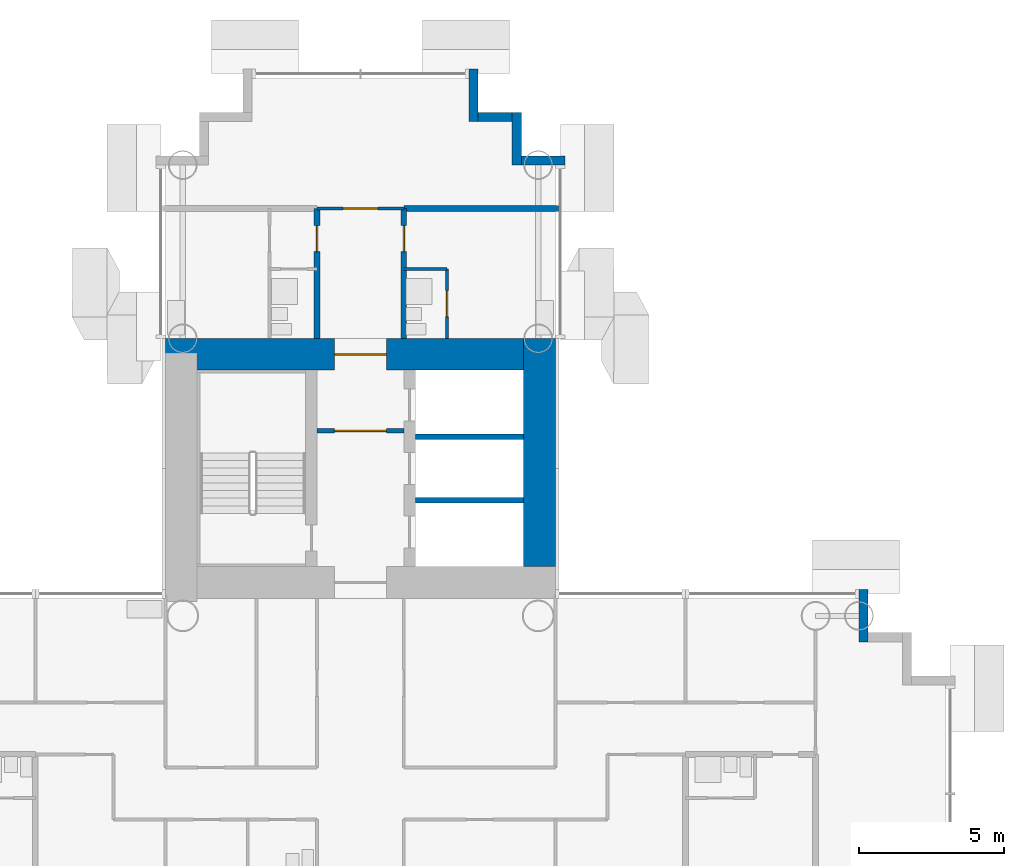
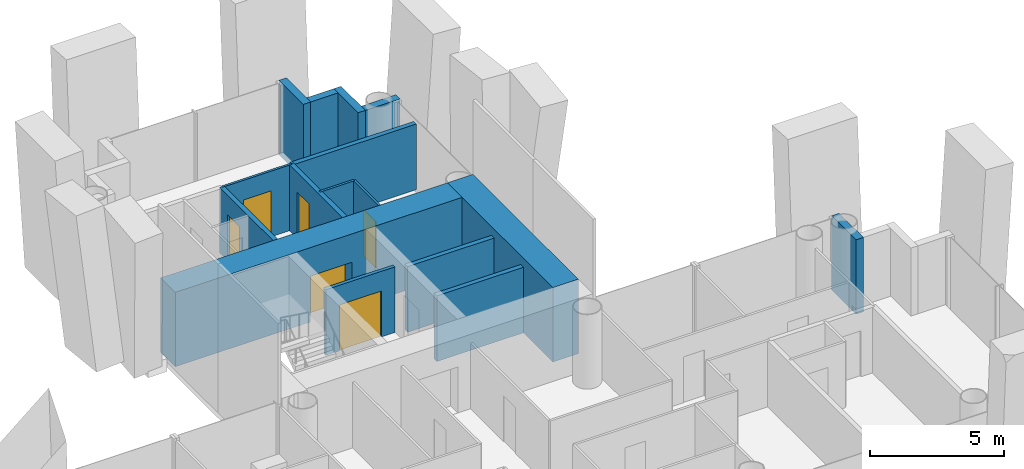
# One storey, part 16 of 23: 16 walls, 6 doors, 6 openings.
"""IFC4 building model written with IfcOpenShell, lengths in metres."""

from ifc_helpers import new_model, si_unit, direction, frame, frame_2d, origin, place, context, subcontext, project, spatial, rectangle, extrude, material, layer, layer_set, type_object, element, fill, save


model = new_model("IFC4")

# Units and contexts
model_context = context("Model", 3, precision=1e-05, world=origin(), true_north=direction((0.0, 1.0)))
body_context = subcontext(model_context, "Body", "Model", "MODEL_VIEW")
ifc_project = project(units=[si_unit("LENGTHUNIT", "METRE"), si_unit("AREAUNIT", "SQUARE_METRE"), si_unit("VOLUMEUNIT", "CUBIC_METRE"), si_unit("PLANEANGLEUNIT", "RADIAN"), si_unit("MASSUNIT", "GRAM", prefix="KILO")], contexts=[model_context])

# Site, building, storey
site_placement = place(None, origin())
site = spatial("IfcSite", under=ifc_project, at=site_placement, CompositionType="ELEMENT")
building_placement = place(site_placement, origin())
building = spatial("IfcBuilding", under=site, at=building_placement, Name="Ipe Terrace Towers", CompositionType="ELEMENT")
storey_placement = place(building_placement, frame((0.0, 0.0, 51.699951171875)))
storey = spatial("IfcBuildingStorey", under=building, at=storey_placement, Name="L13", CompositionType="ELEMENT", Elevation=51.699951171875)

# Walls
ifc_material_1 = material(Name="Concrete C40/50 with buff precast cladding", Category="concrete")
ifc_layer_1 = layer(ifc_material_1, 0.320068359375)
ifc_layer_set_1 = layer_set([ifc_layer_1], Name="BUFF CLADDING WALL 320")
wall_type_1 = type_object("IfcWallType", Name="BUFF CLADDING WALL 320", PredefinedType="STANDARD", material=ifc_layer_set_1)
wall_1_placement = place(storey_placement, frame((53.409912109375, 5.25, -0.300048828125), z_axis=(0.0, 0.0, 1.0), x_axis=(0.0, 1.0, 0.0)))
element("IfcWall", 1, at=wall_1_placement, inside=storey, type_object=wall_type_1, Name="T2-W-L13-16a wall", PredefinedType="STANDARD", context=body_context, shape_type="SweptSolid", body=[
    extrude(rectangle(XDim=1.820068359375, YDim=0.320068359375, at=frame_2d((0.91015625, 0.0))), origin(), (0.0, 0.0, 1.0), 3.400146484375),
])
wall_2_placement = place(storey_placement, frame((43.070068359375, 21.909912109375, -0.300048828125), z_axis=(0.0, 0.0, 1.0), x_axis=(-1.0, 0.0, 0.0)))
element("IfcWall", 2, at=wall_2_placement, inside=storey, type_object=wall_type_1, Name="T2-W-L13-21a wall", PredefinedType="STANDARD", context=body_context, shape_type="SweptSolid", body=[
    extrude(rectangle(XDim=1.5, YDim=0.320068359375, at=frame_2d((0.75, 0.0))), origin(), (0.0, 0.0, 1.0), 3.400146484375),
])
wall_3_placement = place(storey_placement, frame((41.409912109375, 21.75, -0.300048828125), z_axis=(0.0, 0.0, 1.0), x_axis=(0.0, 1.0, 0.0)))
element("IfcWall", 3, at=wall_3_placement, inside=storey, type_object=wall_type_1, Name="T2-W-L13-22a wall", PredefinedType="STANDARD", context=body_context, shape_type="SweptSolid", body=[
    extrude(rectangle(XDim=1.820068359375, YDim=0.320068359375, at=frame_2d((0.91015625, 0.0))), origin(), (0.0, 0.0, 1.0), 3.400146484375),
])
wall_4_placement = place(storey_placement, frame((41.25, 23.409912109375, -0.300048828125), z_axis=(0.0, 0.0, 1.0), x_axis=(-1.0, 0.0, 0.0)))
element("IfcWall", 4, at=wall_4_placement, inside=storey, type_object=wall_type_1, Name="T2-W-L13-23a wall", PredefinedType="STANDARD", context=body_context, shape_type="SweptSolid", body=[
    extrude(rectangle(XDim=1.179931640625, YDim=0.320068359375, at=frame_2d((0.58984375, 0.0))), origin(), (0.0, 0.0, 1.0), 3.400146484375),
])
wall_5_placement = place(storey_placement, frame((39.909912109375, 23.25, -0.300048828125), z_axis=(0.0, 0.0, 1.0), x_axis=(0.0, 1.0, 0.0)))
element("IfcWall", 5, at=wall_5_placement, inside=storey, type_object=wall_type_1, Name="T2-W-L13-24a wall", PredefinedType="STANDARD", context=body_context, shape_type="SweptSolid", body=[
    extrude(rectangle(XDim=1.820068359375, YDim=0.320068359375, at=frame_2d((0.91015625, 0.0))), origin(), (0.0, 0.0, 1.0), 3.400146484375),
])
ifc_material_2 = material(Name="Gypsum board partition", Category="plasterboard")
ifc_layer_2 = layer(ifc_material_2, 0.10009765625)
ifc_layer_set_2 = layer_set([ifc_layer_2], Name="Gypsum board partition 100 mm")
wall_type_2 = type_object("IfcWallType", Name="Gypsum board partition 100 mm", PredefinedType="PARTITIONING", material=ifc_layer_set_2)
wall_6_placement = place(storey_placement, frame((39.0, 18.14990234375, 0.0), z_axis=(0.0, 0.0, 1.0), x_axis=(-1.0, 0.0, 0.0)))
element("IfcWall", 6, at=wall_6_placement, inside=storey, type_object=wall_type_2, Name="Gypsum board partition T2 L13 W19", PredefinedType="PARTITIONING", context=body_context, shape_type="SweptSolid", body=[
    extrude(rectangle(XDim=1.5, YDim=0.10009765625, at=frame_2d((0.75, 0.0))), origin(), (0.0, 0.0, 1.0), 3.0),
])

# Wall, opening, door
wall_7_placement = place(storey_placement, frame((37.5, 20.25, 0.0), z_axis=(0.0, 0.0, 1.0), x_axis=(-1.0, 0.0, 0.0)))
wall_7 = element("IfcWall", 7, at=wall_7_placement, inside=storey, type_object=wall_type_2, Name="Gypsum board partition T2 L13 W21", PredefinedType="PARTITIONING", context=body_context, shape_type="SweptSolid", body=[
    extrude(rectangle(XDim=3.0, YDim=0.10009765625, at=frame_2d((1.5, 0.0))), origin(), (0.0, 0.0, 1.0), 3.0),
])
opening_1_placement = place(wall_7_placement, frame((0.89990234375, 0.0, 0.0)))
opening_1 = element("IfcOpeningElement", 8, at=opening_1_placement, cuts=wall_7, Name="Opening T2-Z1C-26", PredefinedType="OPENING", context=body_context, shape_type="SweptSolid", body=[
    extrude(rectangle(XDim=1.199951171875, YDim=2.10009765625, at=frame_2d((0.60009765625, 1.050048828125))), frame((0.0, 0.06005859375, 0.0), z_axis=(0.0, -1.0, 0.0), x_axis=(1.0, 0.0, 0.0)), (0.0, 0.0, 1.0), 0.1201171875),
])
ifc_material_3 = material(Name="Timber door leaf", Category="wood")
door_type_1 = type_object("IfcDoorType", Name="Lounge door 1200 x 2100", OperationType="NOTDEFINED", PredefinedType="DOOR", material=ifc_material_3)
door_1_placement = place(opening_1_placement, origin())
door_1 = element("IfcDoor", 9, at=door_1_placement, inside=storey, type_object=door_type_1, Name="Lounge door T2-Z1C-26", OperationType="SINGLE_SWING_RIGHT", OverallHeight=2.10009765625, OverallWidth=1.199951171875, PredefinedType="DOOR", context=body_context, shape_type="SweptSolid", body=[
    extrude(rectangle(XDim=1.199951171875, YDim=2.10009765625, at=frame_2d((0.60009765625, 1.050048828125))), frame((0.0, 0.02490234375, 0.0), z_axis=(0.0, -1.0, 0.0), x_axis=(1.0, 0.0, 0.0)), (0.0, 0.0, 1.0), 0.050048828125),
])
fill(opening_1, door_1)

wall_8_placement = place(storey_placement, frame((39.0, 15.75, 0.0), z_axis=(0.0, 0.0, 1.0), x_axis=(0.0, 1.0, 0.0)))
wall_8 = element("IfcWall", 10, at=wall_8_placement, inside=storey, type_object=wall_type_2, Name="Gypsum board partition T2 L13 W33", PredefinedType="PARTITIONING", context=body_context, shape_type="SweptSolid", body=[
    extrude(rectangle(XDim=2.39990234375, YDim=0.10009765625, at=frame_2d((1.199951171875, 0.0))), origin(), (0.0, 0.0, 1.0), 3.0),
])
opening_2_placement = place(wall_8_placement, frame((0.75, 0.0, 0.0)))
opening_2 = element("IfcOpeningElement", 11, at=opening_2_placement, cuts=wall_8, Name="Opening T2-Z1C-25", PredefinedType="OPENING", context=body_context, shape_type="SweptSolid", body=[
    extrude(rectangle(XDim=0.89990234375, YDim=2.10009765625, at=frame_2d((0.449951171875, 1.050048828125))), frame((0.0, 0.06005859375, 0.0), z_axis=(0.0, -1.0, 0.0), x_axis=(1.0, 0.0, 0.0)), (0.0, 0.0, 1.0), 0.1201171875),
])
ifc_material_4 = material(Name="Timber door leaf", Category="wood")
door_type_2 = type_object("IfcDoorType", Name="Bathroom door 900 x 2100", OperationType="NOTDEFINED", PredefinedType="DOOR", material=ifc_material_4)
door_2_placement = place(opening_2_placement, origin())
door_2 = element("IfcDoor", 12, at=door_2_placement, inside=storey, type_object=door_type_2, Name="Bathroom door T2-Z1C-25", OperationType="SINGLE_SWING_LEFT", OverallHeight=2.10009765625, OverallWidth=0.89990234375, PredefinedType="DOOR", context=body_context, shape_type="SweptSolid", body=[
    extrude(rectangle(XDim=0.89990234375, YDim=2.10009765625, at=frame_2d((0.449951171875, 1.050048828125))), frame((0.0, 0.02490234375, 0.0), z_axis=(0.0, -1.0, 0.0), x_axis=(1.0, 0.0, 0.0)), (0.0, 0.0, 1.0), 0.050048828125),
])
fill(opening_2, door_2)

ifc_material_5 = material(Name="Gypsum board partition", Category="plasterboard")
ifc_layer_3 = layer(ifc_material_5, 0.14990234375)
ifc_layer_set_3 = layer_set([ifc_layer_3], Name="Gypsum board partition 150 mm")
wall_type_3 = type_object("IfcWallType", Name="Gypsum board partition 150 mm", PredefinedType="PARTITIONING", material=ifc_layer_set_3)
wall_9_placement = place(storey_placement, frame((37.5, 12.550048828125, 0.0), z_axis=(0.0, 0.0, 1.0), x_axis=(-1.0, 0.0, 0.0)))
wall_9 = element("IfcWall", 13, at=wall_9_placement, inside=storey, type_object=wall_type_3, Name="Gypsum board partition T2 L13 t2c1-lobby-wall", PredefinedType="PARTITIONING", context=body_context, shape_type="SweptSolid", body=[
    extrude(rectangle(XDim=3.0, YDim=0.14990234375, at=frame_2d((1.5, 0.0))), origin(), (0.0, 0.0, 1.0), 3.0),
])
opening_3_placement = place(wall_9_placement, frame((0.60009765625, 0.0, 0.0)))
opening_3 = element("IfcOpeningElement", 14, at=opening_3_placement, cuts=wall_9, Name="Opening T2C1-VD", PredefinedType="OPENING", context=body_context, shape_type="SweptSolid", body=[
    extrude(rectangle(XDim=1.800048828125, YDim=2.10009765625, at=frame_2d((0.89990234375, 1.050048828125))), frame((0.0, 0.0849609375, 0.0), z_axis=(0.0, -1.0, 0.0), x_axis=(1.0, 0.0, 0.0)), (0.0, 0.0, 1.0), 0.169921875),
])
ifc_material_6 = material(Name="Fire-rated timber door leaf", Category="wood")
door_type_3 = type_object("IfcDoorType", Name="Lobby door 1800 x 2100 FD60", OperationType="NOTDEFINED", PredefinedType="DOOR", material=ifc_material_6)
door_3_placement = place(opening_3_placement, origin())
door_3 = element("IfcDoor", 15, at=door_3_placement, inside=storey, type_object=door_type_3, Name="Lobby door T2C1-VD", OperationType="SINGLE_SWING_LEFT", OverallHeight=2.10009765625, OverallWidth=1.800048828125, PredefinedType="DOOR", context=body_context, shape_type="SweptSolid", body=[
    extrude(rectangle(XDim=1.800048828125, YDim=2.10009765625, at=frame_2d((0.89990234375, 1.050048828125))), frame((0.0, 0.02490234375, 0.0), z_axis=(0.0, -1.0, 0.0), x_axis=(1.0, 0.0, 0.0)), (0.0, 0.0, 1.0), 0.050048828125),
])
fill(opening_3, door_3)

# Walls
ifc_material_7 = material(Name="Gypsum board party wall", Category="plasterboard")
ifc_layer_4 = layer(ifc_material_7, 0.199951171875)
ifc_layer_set_4 = layer_set([ifc_layer_4], Name="Gypsum board party wall 200 mm")
wall_type_4 = type_object("IfcWallType", Name="Gypsum board party wall 200 mm", PredefinedType="SOLIDWALL", material=ifc_layer_set_4)
for number, where, z_axis, x_axis, name in (
    (16, (41.64990234375, 10.14990234375, 0.0), (0.0, 0.0, 1.0), (-1.0, 0.0, 0.0), "Gypsum board party wall T2 L13 t2c1-shaft-div1"),
    (17, (41.64990234375, 12.35009765625, 0.0), (0.0, 0.0, 1.0), (-1.0, 0.0, 0.0), "Gypsum board party wall T2 L13 t2c1-shaft-div2"),
):
    element("IfcWall", number, at=place(storey_placement, frame(where, z_axis=z_axis, x_axis=x_axis)), inside=storey, type_object=wall_type_4, Name=name, PredefinedType="SOLIDWALL", context=body_context, shape_type="SweptSolid", body=[
        extrude(rectangle(XDim=3.75, YDim=0.199951171875, at=frame_2d((1.875, 0.0))), origin(), (0.0, 0.0, 1.0), 3.0),
    ])
wall_10_placement = place(storey_placement, frame((42.85009765625, 20.25, 0.0), z_axis=(0.0, 0.0, 1.0), x_axis=(-1.0, 0.0, 0.0)))
element("IfcWall", 18, at=wall_10_placement, inside=storey, type_object=wall_type_4, Name="Gypsum board party wall T2 L13 W22", PredefinedType="SOLIDWALL", context=body_context, shape_type="SweptSolid", body=[
    extrude(rectangle(XDim=5.35009765625, YDim=0.199951171875, at=frame_2d((2.675048828125, 0.0))), origin(), (0.0, 0.0, 1.0), 3.0),
])

# Wall, opening, door
wall_11_placement = place(storey_placement, frame((37.5, 15.75, 0.0), z_axis=(0.0, 0.0, 1.0), x_axis=(0.0, 1.0, 0.0)))
wall_11 = element("IfcWall", 19, at=wall_11_placement, inside=storey, type_object=wall_type_4, Name="Gypsum board party wall T2 L13 W38", PredefinedType="SOLIDWALL", context=body_context, shape_type="SweptSolid", body=[
    extrude(rectangle(XDim=4.5, YDim=0.199951171875, at=frame_2d((2.25, 0.0))), origin(), (0.0, 0.0, 1.0), 3.0),
])
opening_4_placement = place(wall_11_placement, frame((3.0, 0.0, 0.0)))
opening_4 = element("IfcOpeningElement", 20, at=opening_4_placement, cuts=wall_11, Name="Opening T2-Z1C-24", PredefinedType="OPENING", context=body_context, shape_type="SweptSolid", body=[
    extrude(rectangle(XDim=0.89990234375, YDim=2.10009765625, at=frame_2d((0.449951171875, 1.050048828125))), frame((0.0, 0.10986328125, 0.0), z_axis=(0.0, -1.0, 0.0), x_axis=(1.0, 0.0, 0.0)), (0.0, 0.0, 1.0), 0.219970703125),
])
ifc_material_8 = material(Name="Fire-rated timber door leaf", Category="wood")
door_type_4 = type_object("IfcDoorType", Name="Flat entrance door 900 x 2100 FD30S", OperationType="NOTDEFINED", PredefinedType="DOOR", material=ifc_material_8)
door_4_placement = place(opening_4_placement, origin())
door_4 = element("IfcDoor", 21, at=door_4_placement, inside=storey, type_object=door_type_4, Name="Flat entrance door T2-Z1C-24", OperationType="SINGLE_SWING_RIGHT", OverallHeight=2.10009765625, OverallWidth=0.89990234375, PredefinedType="DOOR", context=body_context, shape_type="SweptSolid", body=[
    extrude(rectangle(XDim=0.89990234375, YDim=2.10009765625, at=frame_2d((0.449951171875, 1.050048828125))), frame((0.0, 0.02490234375, 0.0), z_axis=(0.0, -1.0, 0.0), x_axis=(1.0, 0.0, 0.0)), (0.0, 0.0, 1.0), 0.050048828125),
])
fill(opening_4, door_4)

wall_12_placement = place(storey_placement, frame((34.5, 15.75, 0.0), z_axis=(0.0, 0.0, 1.0), x_axis=(0.0, 1.0, 0.0)))
wall_12 = element("IfcWall", 22, at=wall_12_placement, inside=storey, type_object=wall_type_4, Name="Gypsum board party wall T2 L13 W43", PredefinedType="SOLIDWALL", context=body_context, shape_type="SweptSolid", body=[
    extrude(rectangle(XDim=4.5, YDim=0.199951171875, at=frame_2d((2.25, 0.0))), origin(), (0.0, 0.0, 1.0), 3.0),
])
opening_5_placement = place(wall_12_placement, frame((3.0, 0.0, 0.0)))
opening_5 = element("IfcOpeningElement", 23, at=opening_5_placement, cuts=wall_12, Name="Opening T2-Z1C-21", PredefinedType="OPENING", context=body_context, shape_type="SweptSolid", body=[
    extrude(rectangle(XDim=0.89990234375, YDim=2.10009765625, at=frame_2d((0.449951171875, 1.050048828125))), frame((0.0, 0.10986328125, 0.0), z_axis=(0.0, -1.0, 0.0), x_axis=(1.0, 0.0, 0.0)), (0.0, 0.0, 1.0), 0.219970703125),
])
door_5_placement = place(opening_5_placement, origin())
door_5 = element("IfcDoor", 24, at=door_5_placement, inside=storey, type_object=door_type_4, Name="Flat entrance door T2-Z1C-21", OperationType="SINGLE_SWING_LEFT", OverallHeight=2.10009765625, OverallWidth=0.89990234375, PredefinedType="DOOR", context=body_context, shape_type="SweptSolid", body=[
    extrude(rectangle(XDim=0.89990234375, YDim=2.10009765625, at=frame_2d((0.449951171875, 1.050048828125))), frame((0.0, 0.02490234375, 0.0), z_axis=(0.0, -1.0, 0.0), x_axis=(1.0, 0.0, 0.0)), (0.0, 0.0, 1.0), 0.050048828125),
])
fill(opening_5, door_5)

# Wall
ifc_material_9 = material(Name="Concrete C60/75", Category="concrete")
ifc_layer_5 = layer(ifc_material_9, 1.10009765625)
ifc_layer_set_5 = layer_set([ifc_layer_5], Name="RW1100 CORE WALL 1100 C60-75")
wall_type_5 = type_object("IfcWallType", Name="RW1100 CORE WALL 1100 C60-75", PredefinedType="SHEAR", material=ifc_layer_set_5)
wall_13_placement = place(storey_placement, frame((42.199951171875, 7.85009765625, 0.0), z_axis=(0.0, 0.0, 1.0), x_axis=(0.0, 1.0, 0.0)))
element("IfcWall", 25, at=wall_13_placement, inside=storey, type_object=wall_type_5, Name="Core wall T2-C1-Z1-W02", PredefinedType="SHEAR", context=body_context, shape_type="SweptSolid", body=[
    extrude(rectangle(XDim=7.89990234375, YDim=1.10009765625, at=frame_2d((3.949951171875, 0.0))), origin(), (0.0, 0.0, 1.0), 3.400146484375),
])

# Wall, opening, door
wall_14_placement = place(storey_placement, frame((41.64990234375, 15.199951171875, 0.0), z_axis=(0.0, 0.0, 1.0), x_axis=(-1.0, 0.0, 0.0)))
wall_14 = element("IfcWall", 26, at=wall_14_placement, inside=storey, type_object=wall_type_5, Name="Core wall T2-C1-Z1-W03", PredefinedType="SHEAR", context=body_context, shape_type="SweptSolid", body=[
    extrude(rectangle(XDim=12.39990234375, YDim=1.10009765625, at=frame_2d((6.199951171875, 0.0))), origin(), (0.0, 0.0, 1.0), 3.400146484375),
])
opening_6_placement = place(wall_14_placement, frame((4.75, 0.0, 0.0)))
opening_6 = element("IfcOpeningElement", 27, at=opening_6_placement, cuts=wall_14, Name="Opening T2C1-FD", PredefinedType="OPENING", context=body_context, shape_type="SweptSolid", body=[
    extrude(rectangle(XDim=1.800048828125, YDim=2.10009765625, at=frame_2d((0.89990234375, 1.050048828125))), frame((0.0, 0.56005859375, 0.0), z_axis=(0.0, -1.0, 0.0), x_axis=(1.0, 0.0, 0.0)), (0.0, 0.0, 1.0), 1.1201171875),
])
ifc_material_10 = material(Name="Fire-rated timber door leaf", Category="wood")
door_type_5 = type_object("IfcDoorType", Name="Fire door 1800 x 2100 FD30S", OperationType="NOTDEFINED", PredefinedType="DOOR", material=ifc_material_10)
door_6_placement = place(opening_6_placement, origin())
door_6 = element("IfcDoor", 28, at=door_6_placement, inside=storey, type_object=door_type_5, Name="Fire door T2C1-FD", OperationType="SINGLE_SWING_LEFT", OverallHeight=2.10009765625, OverallWidth=1.800048828125, PredefinedType="DOOR", context=body_context, shape_type="SweptSolid", body=[
    extrude(rectangle(XDim=1.800048828125, YDim=2.10009765625, at=frame_2d((0.89990234375, 1.050048828125))), frame((0.0, 0.02490234375, 0.0), z_axis=(0.0, -1.0, 0.0), x_axis=(1.0, 0.0, 0.0)), (0.0, 0.0, 1.0), 0.050048828125),
])
fill(opening_6, door_6)

save(model, "model.ifc")
